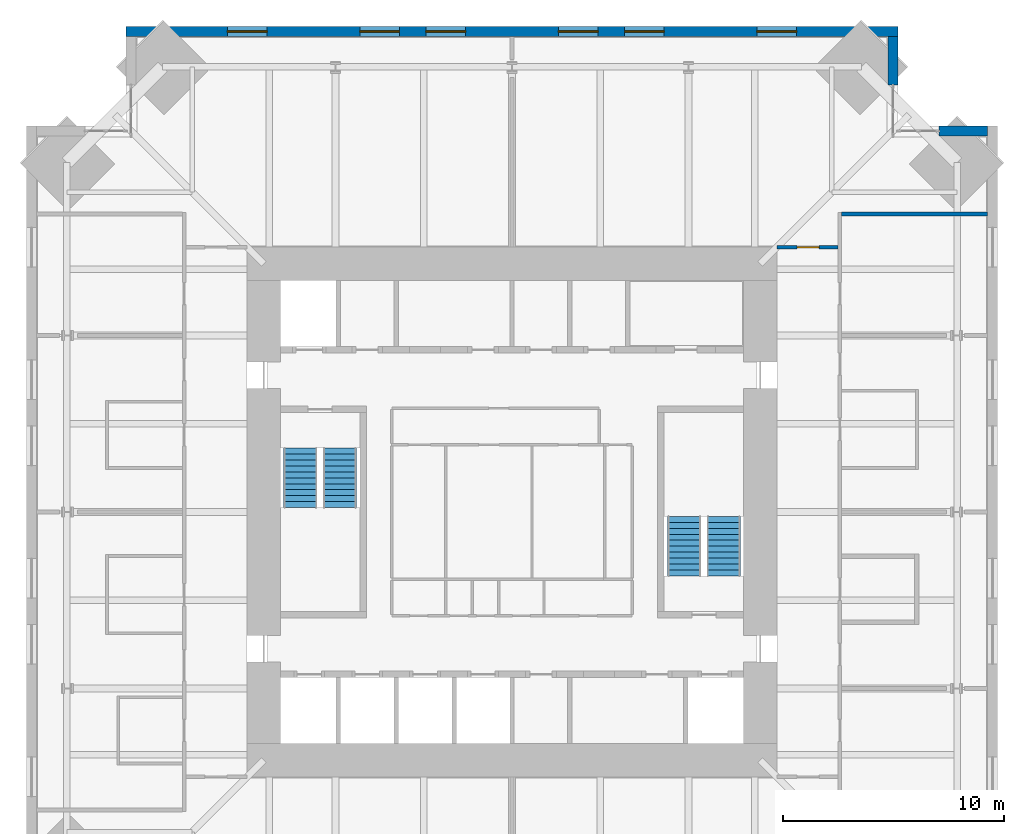
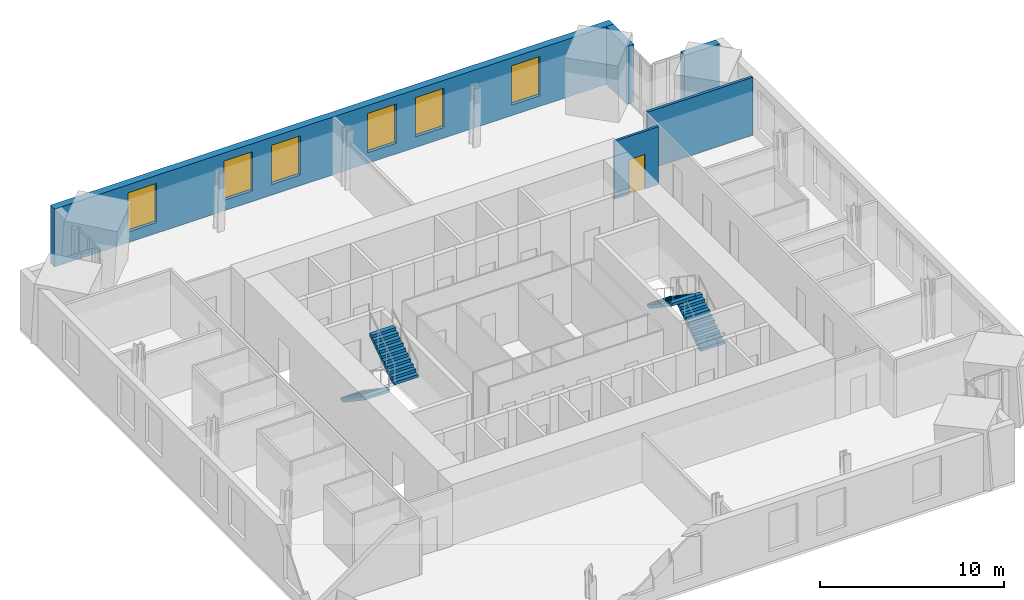
# One storey, part 15 of 16: 6 windows, 5 walls, 4 stair flights, 1 door, 7 openings, 2 elements without a shape of their own.
"""IFC4 building model written with IfcOpenShell, lengths in metres."""

from ifc_helpers import new_model, si_unit, direction, frame, frame_2d, origin, place, context, subcontext, project, spatial, polyline, rectangle, outline, extrude, material, layer, layer_set, type_object, element, fill, aggregate, save


model = new_model("IFC4")

# Units and contexts
model_context = context("Model", 3, precision=1e-05, world=origin(), true_north=direction((0.0, 1.0)))
body_context = subcontext(model_context, "Body", "Model", "MODEL_VIEW")
ifc_project = project(units=[si_unit("LENGTHUNIT", "METRE"), si_unit("AREAUNIT", "SQUARE_METRE"), si_unit("VOLUMEUNIT", "CUBIC_METRE"), si_unit("PLANEANGLEUNIT", "RADIAN"), si_unit("MASSUNIT", "GRAM", prefix="KILO")], contexts=[model_context])

# Site, building, storey
site_placement = place(None, origin())
site = spatial("IfcSite", under=ifc_project, at=site_placement, CompositionType="ELEMENT")
building_placement = place(site_placement, origin())
building = spatial("IfcBuilding", under=site, at=building_placement, Name="Peilmerk Tower", CompositionType="ELEMENT")
storey_placement = place(building_placement, frame((0.0, 0.0, 265.800048828125)))
storey = spatial("IfcBuildingStorey", under=building, at=storey_placement, Name="L59", CompositionType="ELEMENT", Elevation=265.800048828125)

# Wall, openings, windows
ifc_material_1 = material(Name="Precast concrete C45/55, board-marked finish", Category="concrete")
ifc_layer_1 = layer(ifc_material_1, 0.449951171875)
ifc_layer_set_1 = layer_set([ifc_layer_1], Name="Precast concrete C45/55, board-marked finish")
wall_type_1 = type_object("IfcWallType", Name="EW1 450 precast concrete facade wall, board-marked", PredefinedType="SOLIDWALL", material=ifc_layer_set_1)
wall_1_placement = place(storey_placement, frame((17.5, 21.77490234375, 0.0), z_axis=(0.0, 0.0, 1.0), x_axis=(-1.0, 0.0, 0.0)))
wall_1 = element("IfcWall", 1, at=wall_1_placement, inside=storey, type_object=wall_type_1, Name="Facade wall N L59", PredefinedType="SOLIDWALL", context=body_context, shape_type="SweptSolid", body=[
    extrude(rectangle(XDim=35.0, YDim=0.449951171875, at=frame_2d((17.5, 0.0))), origin(), (0.0, 0.0, 1.0), 3.829833984375),
])
opening_1_placement = place(wall_1_placement, frame((4.60009765625, 0.0, 0.699951171875)))
opening_1 = element("IfcOpeningElement", 2, at=opening_1_placement, cuts=wall_1, Name="Opening W1", PredefinedType="OPENING", context=body_context, shape_type="SweptSolid", body=[
    extrude(rectangle(XDim=1.800048828125, YDim=2.60009765625, at=frame_2d((0.89990234375, 1.300048828125))), frame((0.0, 0.23486328125, 0.0), z_axis=(0.0, -1.0, 0.0), x_axis=(1.0, 0.0, 0.0)), (0.0, 0.0, 1.0), 0.469970703125),
])
opening_2_placement = place(wall_1_placement, frame((10.60009765625, 0.0, 0.699951171875)))
opening_2 = element("IfcOpeningElement", 3, at=opening_2_placement, cuts=wall_1, Name="Opening W1", PredefinedType="OPENING", context=body_context, shape_type="SweptSolid", body=[
    extrude(rectangle(XDim=1.800048828125, YDim=2.60009765625, at=frame_2d((0.89990234375, 1.300048828125))), frame((0.0, 0.23486328125, 0.0), z_axis=(0.0, -1.0, 0.0), x_axis=(1.0, 0.0, 0.0)), (0.0, 0.0, 1.0), 0.469970703125),
])
opening_3_placement = place(wall_1_placement, frame((13.60009765625, 0.0, 0.699951171875)))
opening_3 = element("IfcOpeningElement", 4, at=opening_3_placement, cuts=wall_1, Name="Opening W1", PredefinedType="OPENING", context=body_context, shape_type="SweptSolid", body=[
    extrude(rectangle(XDim=1.800048828125, YDim=2.60009765625, at=frame_2d((0.89990234375, 1.300048828125))), frame((0.0, 0.23486328125, 0.0), z_axis=(0.0, -1.0, 0.0), x_axis=(1.0, 0.0, 0.0)), (0.0, 0.0, 1.0), 0.469970703125),
])
opening_4_placement = place(wall_1_placement, frame((19.60009765625, 0.0, 0.699951171875)))
opening_4 = element("IfcOpeningElement", 5, at=opening_4_placement, cuts=wall_1, Name="Opening W1", PredefinedType="OPENING", context=body_context, shape_type="SweptSolid", body=[
    extrude(rectangle(XDim=1.800048828125, YDim=2.60009765625, at=frame_2d((0.89990234375, 1.300048828125))), frame((0.0, 0.23486328125, 0.0), z_axis=(0.0, -1.0, 0.0), x_axis=(1.0, 0.0, 0.0)), (0.0, 0.0, 1.0), 0.469970703125),
])
opening_5_placement = place(wall_1_placement, frame((22.60009765625, 0.0, 0.699951171875)))
opening_5 = element("IfcOpeningElement", 6, at=opening_5_placement, cuts=wall_1, Name="Opening W1", PredefinedType="OPENING", context=body_context, shape_type="SweptSolid", body=[
    extrude(rectangle(XDim=1.800048828125, YDim=2.60009765625, at=frame_2d((0.89990234375, 1.300048828125))), frame((0.0, 0.23486328125, 0.0), z_axis=(0.0, -1.0, 0.0), x_axis=(1.0, 0.0, 0.0)), (0.0, 0.0, 1.0), 0.469970703125),
])
opening_6_placement = place(wall_1_placement, frame((28.60009765625, 0.0, 0.699951171875)))
opening_6 = element("IfcOpeningElement", 7, at=opening_6_placement, cuts=wall_1, Name="Opening W1", PredefinedType="OPENING", context=body_context, shape_type="SweptSolid", body=[
    extrude(rectangle(XDim=1.800048828125, YDim=2.60009765625, at=frame_2d((0.89990234375, 1.300048828125))), frame((0.0, 0.23486328125, 0.0), z_axis=(0.0, -1.0, 0.0), x_axis=(1.0, 0.0, 0.0)), (0.0, 0.0, 1.0), 0.469970703125),
])
ifc_material_2 = material(Name="Aluminium frame, clear double glazing", Category="aluminium")
window_type = type_object("IfcWindowType", Name="W1 1800x2600 office window", PartitioningType="SINGLE_PANEL", PredefinedType="WINDOW", material=ifc_material_2)
window_1_placement = place(opening_1_placement, origin())
window_1 = element("IfcWindow", 8, at=window_1_placement, inside=storey, type_object=window_type, Name="Window W1 L59", OverallHeight=2.60009765625, OverallWidth=1.800048828125, PartitioningType="SINGLE_PANEL", PredefinedType="WINDOW", context=body_context, shape_type="SweptSolid", body=[
    extrude(rectangle(XDim=1.800048828125, YDim=2.60009765625, at=frame_2d((0.89990234375, 1.300048828125))), frame((0.0, 0.030029296875, 0.0), z_axis=(0.0, -1.0, 0.0), x_axis=(1.0, 0.0, 0.0)), (0.0, 0.0, 1.0), 0.06005859375),
])
fill(opening_1, window_1)
window_2_placement = place(opening_2_placement, origin())
window_2 = element("IfcWindow", 9, at=window_2_placement, inside=storey, type_object=window_type, Name="Window W1 L59", OverallHeight=2.60009765625, OverallWidth=1.800048828125, PartitioningType="SINGLE_PANEL", PredefinedType="WINDOW", context=body_context, shape_type="SweptSolid", body=[
    extrude(rectangle(XDim=1.800048828125, YDim=2.60009765625, at=frame_2d((0.89990234375, 1.300048828125))), frame((0.0, 0.030029296875, 0.0), z_axis=(0.0, -1.0, 0.0), x_axis=(1.0, 0.0, 0.0)), (0.0, 0.0, 1.0), 0.06005859375),
])
fill(opening_2, window_2)
window_3_placement = place(opening_3_placement, origin())
window_3 = element("IfcWindow", 10, at=window_3_placement, inside=storey, type_object=window_type, Name="Window W1 L59", OverallHeight=2.60009765625, OverallWidth=1.800048828125, PartitioningType="SINGLE_PANEL", PredefinedType="WINDOW", context=body_context, shape_type="SweptSolid", body=[
    extrude(rectangle(XDim=1.800048828125, YDim=2.60009765625, at=frame_2d((0.89990234375, 1.300048828125))), frame((0.0, 0.030029296875, 0.0), z_axis=(0.0, -1.0, 0.0), x_axis=(1.0, 0.0, 0.0)), (0.0, 0.0, 1.0), 0.06005859375),
])
fill(opening_3, window_3)
window_4_placement = place(opening_4_placement, origin())
window_4 = element("IfcWindow", 11, at=window_4_placement, inside=storey, type_object=window_type, Name="Window W1 L59", OverallHeight=2.60009765625, OverallWidth=1.800048828125, PartitioningType="SINGLE_PANEL", PredefinedType="WINDOW", context=body_context, shape_type="SweptSolid", body=[
    extrude(rectangle(XDim=1.800048828125, YDim=2.60009765625, at=frame_2d((0.89990234375, 1.300048828125))), frame((0.0, 0.030029296875, 0.0), z_axis=(0.0, -1.0, 0.0), x_axis=(1.0, 0.0, 0.0)), (0.0, 0.0, 1.0), 0.06005859375),
])
fill(opening_4, window_4)
window_5_placement = place(opening_5_placement, origin())
window_5 = element("IfcWindow", 12, at=window_5_placement, inside=storey, type_object=window_type, Name="Window W1 L59", OverallHeight=2.60009765625, OverallWidth=1.800048828125, PartitioningType="SINGLE_PANEL", PredefinedType="WINDOW", context=body_context, shape_type="SweptSolid", body=[
    extrude(rectangle(XDim=1.800048828125, YDim=2.60009765625, at=frame_2d((0.89990234375, 1.300048828125))), frame((0.0, 0.030029296875, 0.0), z_axis=(0.0, -1.0, 0.0), x_axis=(1.0, 0.0, 0.0)), (0.0, 0.0, 1.0), 0.06005859375),
])
fill(opening_5, window_5)
window_6_placement = place(opening_6_placement, origin())
window_6 = element("IfcWindow", 13, at=window_6_placement, inside=storey, type_object=window_type, Name="Window W1 L59", OverallHeight=2.60009765625, OverallWidth=1.800048828125, PartitioningType="SINGLE_PANEL", PredefinedType="WINDOW", context=body_context, shape_type="SweptSolid", body=[
    extrude(rectangle(XDim=1.800048828125, YDim=2.60009765625, at=frame_2d((0.89990234375, 1.300048828125))), frame((0.0, 0.030029296875, 0.0), z_axis=(0.0, -1.0, 0.0), x_axis=(1.0, 0.0, 0.0)), (0.0, 0.0, 1.0), 0.06005859375),
])
fill(opening_6, window_6)

# Walls
for number, where, z_axis, x_axis, name in (
    (14, (17.27490234375, 19.353759765625, 0.0), (0.0, 0.0, 1.0), (0.0, 1.0, 0.0), "Facade wall NEA L59"),
    (15, (19.353759765625, 17.27490234375, 0.0), (0.0, 0.0, 1.0), (1.0, 0.0, 0.0), "Facade wall NEB L59"),
):
    element("IfcWall", number, at=place(storey_placement, frame(where, z_axis=z_axis, x_axis=x_axis)), inside=storey, type_object=wall_type_1, Name=name, PredefinedType="SOLIDWALL", context=body_context, shape_type="SweptSolid", body=[
        extrude(rectangle(XDim=2.1962890625, YDim=0.449951171875, at=frame_2d((1.09814453125, 0.0))), origin(), (0.0, 0.0, 1.0), 3.829833984375),
    ])

# Wall, opening, door
ifc_material_3 = material(Name="Calcium silicate block", Category="masonry")
ifc_layer_2 = layer(ifc_material_3, 0.14990234375)
ifc_layer_set_2 = layer_set([ifc_layer_2], Name="Calcium silicate block")
wall_type_2 = type_object("IfcWallType", Name="IW1 150 corridor partition, EI 60", PredefinedType="PARTITIONING", material=ifc_layer_set_2)
wall_2_placement = place(storey_placement, frame((12.0, 12.0, 0.0), z_axis=(0.0, 0.0, 1.0), x_axis=(1.0, 0.0, 0.0)))
wall_2 = element("IfcWall", 16, at=wall_2_placement, inside=storey, type_object=wall_type_2, Name="Corridor wall NE L59", PredefinedType="PARTITIONING", context=body_context, shape_type="SweptSolid", body=[
    extrude(rectangle(XDim=2.77490234375, YDim=0.14990234375, at=frame_2d((1.387451171875, 0.0))), origin(), (0.0, 0.0, 1.0), 3.829833984375),
])
opening_7_placement = place(wall_2_placement, frame((0.925048828125, 0.0, 0.0)))
opening_7 = element("IfcOpeningElement", 17, at=opening_7_placement, cuts=wall_2, Name="Opening D1", PredefinedType="OPENING", context=body_context, shape_type="SweptSolid", body=[
    extrude(rectangle(XDim=1.0, YDim=2.300048828125, at=frame_2d((0.5, 1.14990234375))), frame((0.0, 0.0849609375, 0.0), z_axis=(0.0, -1.0, 0.0), x_axis=(1.0, 0.0, 0.0)), (0.0, 0.0, 1.0), 0.169921875),
])
ifc_material_4 = material(Name="Timber door in steel frame", Category="steel")
door_type = type_object("IfcDoorType", Name="D1 1000x2300 room door, EI2 30", OperationType="SINGLE_SWING_LEFT", PredefinedType="DOOR", material=ifc_material_4)
door_placement = place(opening_7_placement, origin())
door = element("IfcDoor", 18, at=door_placement, inside=storey, type_object=door_type, Name="Door Office L59", OperationType="SINGLE_SWING_LEFT", OverallHeight=2.300048828125, OverallWidth=1.0, PredefinedType="DOOR", context=body_context, shape_type="SweptSolid", body=[
    extrude(rectangle(XDim=1.0, YDim=2.300048828125, at=frame_2d((0.5, 1.14990234375))), frame((0.0, 0.02490234375, 0.0), z_axis=(0.0, -1.0, 0.0), x_axis=(1.0, 0.0, 0.0)), (0.0, 0.0, 1.0), 0.050048828125),
])
fill(opening_7, door)

# Wall
ifc_layer_3 = layer(ifc_material_3, 0.175048828125)
ifc_layer_set_3 = layer_set([ifc_layer_3], Name="Calcium silicate block")
wall_type_3 = type_object("IfcWallType", Name="IW8 175 tenant separating wall, EI 60", PredefinedType="PARTITIONING", material=ifc_layer_set_3)
wall_3_placement = place(storey_placement, frame((14.925048828125, 13.5, 0.0), z_axis=(0.0, 0.0, 1.0), x_axis=(1.0, 0.0, 0.0)))
element("IfcWall", 19, at=wall_3_placement, inside=storey, type_object=wall_type_3, Name="Tenant separating wall NE L59", PredefinedType="PARTITIONING", context=body_context, shape_type="SweptSolid", body=[
    extrude(rectangle(XDim=6.625, YDim=0.175048828125, at=frame_2d((3.3125, 0.0))), origin(), (0.0, 0.0, 1.0), 3.829833984375),
])

# Stair, stair flights
ifc_material_5 = material(Name="Precast concrete C45/55", Category="concrete")
stair_type_1 = type_object("IfcStairType", Name="ST1 22 risers of 181.8", PredefinedType="HALF_TURN_STAIR", material=ifc_material_5)
stair_1_placement = place(storey_placement, origin())
stair_1 = element("IfcStair", 20, at=stair_1_placement, inside=storey, type_object=stair_type_1, Name="Stair 1 L59 to L60", PredefinedType="HALF_TURN_STAIR")
stair_flight_type = type_object("IfcStairFlightType", Name="SF11 flight, 11 risers of 181.8", PredefinedType="STRAIGHT", material=ifc_material_5)
stair_flight_1_placement = place(storey_placement, frame((-9.60009765625, 2.89990234375, 0.0), z_axis=(0.0, 0.0, 1.0), x_axis=(0.0, -1.0, 0.0)))
stair_flight_1 = element("IfcStairFlight", 21, at=stair_flight_1_placement, type_object=stair_flight_type, Name="ST1 flight 1", NumberOfRisers=11, NumberOfTreads=10, PredefinedType="STRAIGHT", RiserHeight=0.181818182, TreadLength=0.27, context=body_context, shape_type="SweptSolid", body=[
    extrude(outline(polyline([(0.0, 0.0), (0.0, 0.181884765625), (0.27001953125, 0.181884765625), (0.27001953125, 0.363525390625), (0.5400390625, 0.363525390625), (0.5400390625, 0.54541015625), (0.81005859375, 0.54541015625), (0.81005859375, 0.727294921875), (1.080078125, 0.727294921875), (1.080078125, 0.9091796875), (1.35009765625, 0.9091796875), (1.35009765625, 1.0908203125), (1.6201171875, 1.0908203125), (1.6201171875, 1.272705078125), (1.889892578125, 1.272705078125), (1.889892578125, 1.45458984375), (2.159912109375, 1.45458984375), (2.159912109375, 1.636474609375), (2.429931640625, 1.636474609375), (2.429931640625, 1.818115234375), (2.699951171875, 1.818115234375), (2.699951171875, 2.0), (2.699951171875, 1.637451171875), (0.268310546875, 0.0), (0.0, 0.0)])), frame((0.0, 0.75, 0.0), z_axis=(0.0, -1.0, 0.0), x_axis=(1.0, 0.0, 0.0)), (0.0, 0.0, 1.0), 1.5),
])
stair_flight_2_placement = place(storey_placement, frame((-7.800048828125, 0.199951171875, 2.0), z_axis=(0.0, 0.0, 1.0), x_axis=(0.0, 1.0, 0.0)))
stair_flight_2 = element("IfcStairFlight", 22, at=stair_flight_2_placement, type_object=stair_flight_type, Name="ST1 flight 2", NumberOfRisers=11, NumberOfTreads=10, PredefinedType="STRAIGHT", RiserHeight=0.181818182, TreadLength=0.27, context=body_context, shape_type="SweptSolid", body=[
    extrude(outline(polyline([(0.0, 0.0), (0.0, 0.181884765625), (0.27001953125, 0.181884765625), (0.27001953125, 0.363525390625), (0.5400390625, 0.363525390625), (0.5400390625, 0.54541015625), (0.81005859375, 0.54541015625), (0.81005859375, 0.727294921875), (1.080078125, 0.727294921875), (1.080078125, 0.9091796875), (1.35009765625, 0.9091796875), (1.35009765625, 1.0908203125), (1.6201171875, 1.0908203125), (1.6201171875, 1.272705078125), (1.889892578125, 1.272705078125), (1.889892578125, 1.45458984375), (2.159912109375, 1.45458984375), (2.159912109375, 1.636474609375), (2.429931640625, 1.636474609375), (2.429931640625, 1.818115234375), (2.699951171875, 1.818115234375), (2.699951171875, 2.0), (2.699951171875, 1.637451171875), (0.268310546875, 0.0), (0.0, 0.0)])), frame((0.0, 0.75, 0.0), z_axis=(0.0, -1.0, 0.0), x_axis=(1.0, 0.0, 0.0)), (0.0, 0.0, 1.0), 1.5),
])
aggregate(stair_1, [stair_flight_1, stair_flight_2])

stair_type_2 = type_object("IfcStairType", Name="ST2 22 risers of 181.8", PredefinedType="HALF_TURN_STAIR", material=ifc_material_5)
stair_2_placement = place(storey_placement, origin())
stair_2 = element("IfcStair", 23, at=stair_2_placement, inside=storey, type_object=stair_type_2, Name="Stair 2 L59 to L60", PredefinedType="HALF_TURN_STAIR")
stair_flight_3_placement = place(storey_placement, frame((9.60009765625, -2.89990234375, 0.0), z_axis=(0.0, 0.0, 1.0), x_axis=(0.0, 1.0, 0.0)))
stair_flight_3 = element("IfcStairFlight", 24, at=stair_flight_3_placement, type_object=stair_flight_type, Name="ST2 flight 1", NumberOfRisers=11, NumberOfTreads=10, PredefinedType="STRAIGHT", RiserHeight=0.181818182, TreadLength=0.27, context=body_context, shape_type="SweptSolid", body=[
    extrude(outline(polyline([(0.0, 0.0), (0.0, 0.181884765625), (0.27001953125, 0.181884765625), (0.27001953125, 0.363525390625), (0.5400390625, 0.363525390625), (0.5400390625, 0.54541015625), (0.81005859375, 0.54541015625), (0.81005859375, 0.727294921875), (1.080078125, 0.727294921875), (1.080078125, 0.9091796875), (1.35009765625, 0.9091796875), (1.35009765625, 1.0908203125), (1.6201171875, 1.0908203125), (1.6201171875, 1.272705078125), (1.889892578125, 1.272705078125), (1.889892578125, 1.45458984375), (2.159912109375, 1.45458984375), (2.159912109375, 1.636474609375), (2.429931640625, 1.636474609375), (2.429931640625, 1.818115234375), (2.699951171875, 1.818115234375), (2.699951171875, 2.0), (2.699951171875, 1.637451171875), (0.268310546875, 0.0), (0.0, 0.0)])), frame((0.0, 0.75, 0.0), z_axis=(0.0, -1.0, 0.0), x_axis=(1.0, 0.0, 0.0)), (0.0, 0.0, 1.0), 1.5),
])
stair_flight_4_placement = place(storey_placement, frame((7.800048828125, -0.199951171875, 2.0), z_axis=(0.0, 0.0, 1.0), x_axis=(0.0, -1.0, 0.0)))
stair_flight_4 = element("IfcStairFlight", 25, at=stair_flight_4_placement, type_object=stair_flight_type, Name="ST2 flight 2", NumberOfRisers=11, NumberOfTreads=10, PredefinedType="STRAIGHT", RiserHeight=0.181818182, TreadLength=0.27, context=body_context, shape_type="SweptSolid", body=[
    extrude(outline(polyline([(0.0, 0.0), (0.0, 0.181884765625), (0.27001953125, 0.181884765625), (0.27001953125, 0.363525390625), (0.5400390625, 0.363525390625), (0.5400390625, 0.54541015625), (0.81005859375, 0.54541015625), (0.81005859375, 0.727294921875), (1.080078125, 0.727294921875), (1.080078125, 0.9091796875), (1.35009765625, 0.9091796875), (1.35009765625, 1.0908203125), (1.6201171875, 1.0908203125), (1.6201171875, 1.272705078125), (1.889892578125, 1.272705078125), (1.889892578125, 1.45458984375), (2.159912109375, 1.45458984375), (2.159912109375, 1.636474609375), (2.429931640625, 1.636474609375), (2.429931640625, 1.818115234375), (2.699951171875, 1.818115234375), (2.699951171875, 2.0), (2.699951171875, 1.637451171875), (0.268310546875, 0.0), (0.0, 0.0)])), frame((0.0, 0.75, 0.0), z_axis=(0.0, -1.0, 0.0), x_axis=(1.0, 0.0, 0.0)), (0.0, 0.0, 1.0), 1.5),
])
aggregate(stair_2, [stair_flight_3, stair_flight_4])

save(model, "model.ifc")
